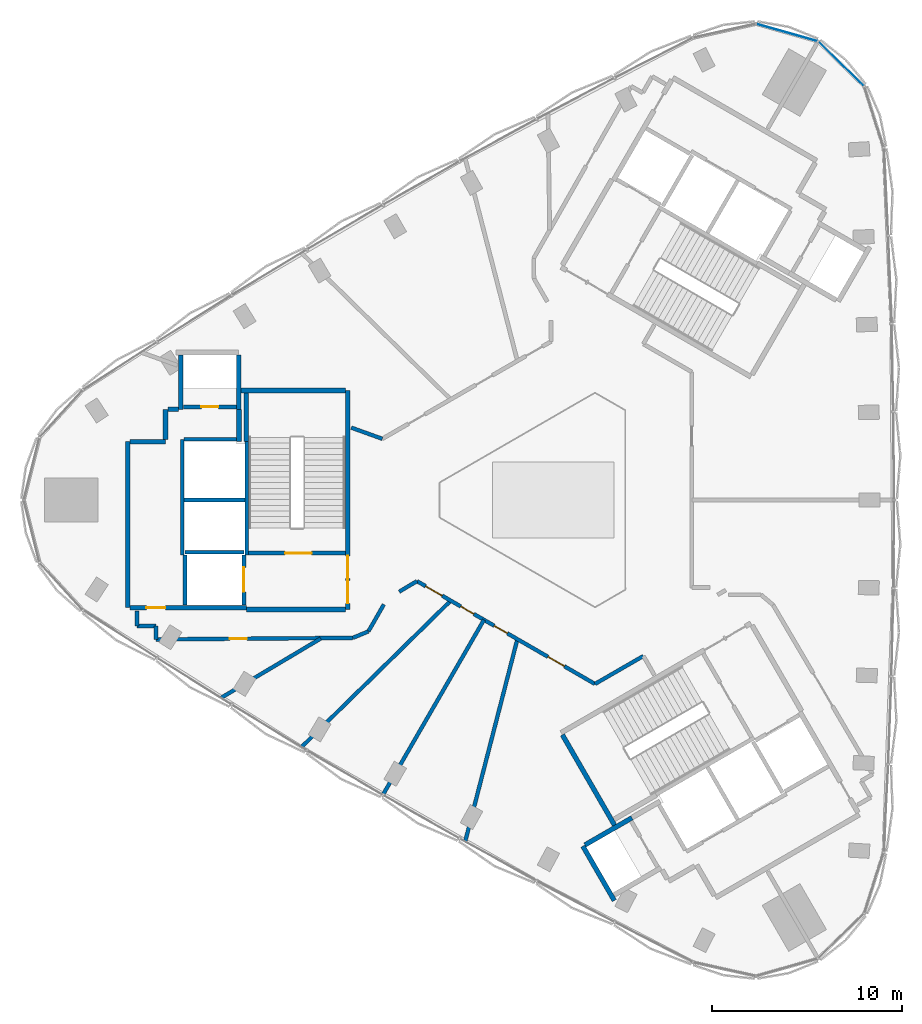
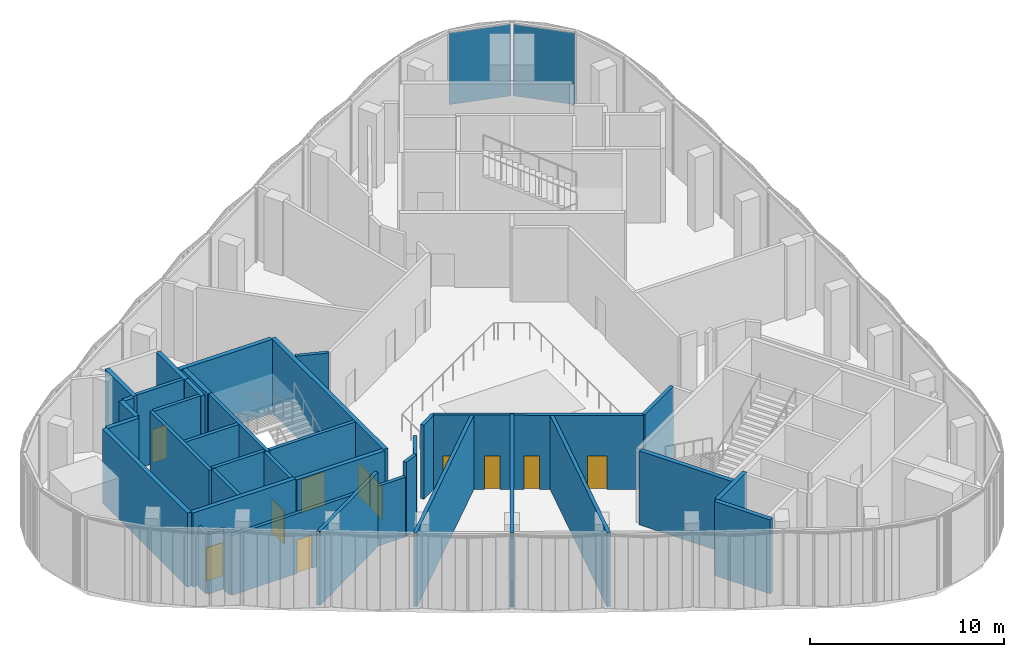
# One storey, part 7 of 15: 38 walls, 11 doors, 2 plates, 11 openings, 1 element without a shape of its own.
"""IFC4 building model written with IfcOpenShell, lengths in metres."""

from ifc_helpers import new_model, si_unit, direction, frame, frame_2d, origin, origin_2d, place, context, subcontext, project, spatial, rectangle, extrude, material, layer, layer_set, type_object, element, fill, aggregate, save


model = new_model("IFC4")

# Units and contexts
model_context = context("Model", 3, precision=1e-05, world=origin(), true_north=direction((0.0, 1.0)))
body_context = subcontext(model_context, "Body", "Model", "MODEL_VIEW")
ifc_project = project(units=[si_unit("LENGTHUNIT", "METRE"), si_unit("AREAUNIT", "SQUARE_METRE"), si_unit("VOLUMEUNIT", "CUBIC_METRE"), si_unit("PLANEANGLEUNIT", "RADIAN"), si_unit("MASSUNIT", "GRAM", prefix="KILO")], contexts=[model_context])

# Site, building, storey
site_placement = place(None, origin())
site = spatial("IfcSite", under=ifc_project, at=site_placement, CompositionType="ELEMENT")
building_placement = place(site_placement, origin())
building = spatial("IfcBuilding", under=site, at=building_placement, Name="Tamra Quay Hotel Tower", CompositionType="ELEMENT")
storey_placement = place(building_placement, frame((0.0, 0.0, 216.39990234375)))
storey = spatial("IfcBuildingStorey", under=building, at=storey_placement, Name="L54", CompositionType="ELEMENT", Elevation=216.39990234375)

# Curtain wall, plates
ifc_material_1 = material(Name="Aluminium 6063 anodised dark grey", Category="aluminium")
curtain_wall_type = type_object("IfcCurtainWallType", Name="CW1 CURTAIN WALL", PredefinedType="NOTDEFINED", material=ifc_material_1)
curtain_wall_placement = place(storey_placement, origin())
curtain_wall = element("IfcCurtainWall", 1, at=curtain_wall_placement, inside=storey, type_object=curtain_wall_type, Name="CW1 east face L54", PredefinedType="NOTDEFINED")
ifc_material_2 = material(Name="Glass clear laminated low-iron", Category="glass")
ifc_layer_1 = layer(ifc_material_2, 0.028076171875)
ifc_layer_set_1 = layer_set([ifc_layer_1], Name="GLASS PANEL CW1 Z5")
plate_type = type_object("IfcPlateType", Name="GLASS PANEL CW1 Z5", PredefinedType="CURTAIN_PANEL", material=ifc_layer_set_1)
plate_1_placement = place(storey_placement, frame((15.18017578125, 22.9951171875, 0.0), z_axis=(0.0, 0.0, 1.0), x_axis=(-0.717364100925, 0.696698461821, 0.0)))
plate_1 = element("IfcPlate", 2, at=plate_1_placement, type_object=plate_type, Name="CW1 glass L54.E.10", PredefinedType="CURTAIN_PANEL", context=body_context, shape_type="SweptSolid", body=[
    extrude(rectangle(XDim=3.301025390625, YDim=0.028076171875, at=origin_2d()), origin(), (0.0, 0.0, 1.0), 4.510009765625),
])
plate_2_placement = place(storey_placement, frame((12.32421875, 24.643798828125, 0.0), z_axis=(0.0, 0.0, 1.0), x_axis=(-0.962040617177, 0.272906304254, 0.0)))
plate_2 = element("IfcPlate", 3, at=plate_2_placement, type_object=plate_type, Name="CW1 glass L54.E.11", PredefinedType="CURTAIN_PANEL", context=body_context, shape_type="SweptSolid", body=[
    extrude(rectangle(XDim=3.301025390625, YDim=0.028076171875, at=origin_2d()), origin(), (0.0, 0.0, 1.0), 4.510009765625),
])
aggregate(curtain_wall, [plate_1, plate_2])

# Walls
ifc_material_3 = material(Name="Concrete M70", Category="concrete")
ifc_layer_2 = layer(ifc_material_3, 0.199951171875)
ifc_layer_set_2 = layer_set([ifc_layer_2], Name="Concrete M70 core wall 200")
wall_type_1 = type_object("IfcWallType", Name="Concrete M70 core wall 200", PredefinedType="SHEAR", material=ifc_layer_set_2)
wall_1_placement = place(storey_placement, frame((-16.162109375, 3.073974609375, 0.0), z_axis=(0.0, 0.0, 1.0), x_axis=(0.0, -1.0, 0.0)))
element("IfcWall", 4, at=wall_1_placement, inside=storey, type_object=wall_type_1, Name="CW2", PredefinedType="SHEAR", context=body_context, shape_type="SweptSolid", body=[
    extrude(rectangle(XDim=5.97412109375, YDim=0.199951171875, at=frame_2d((2.987060546875, 0.0))), origin(), (0.0, 0.0, 1.0), 4.650146484375),
])
wall_2_placement = place(storey_placement, frame((-19.5625, -2.900146484375, 0.0), z_axis=(0.0, 0.0, 1.0), x_axis=(0.0, 1.0, 0.0)))
element("IfcWall", 5, at=wall_2_placement, inside=storey, type_object=wall_type_1, Name="CW2", PredefinedType="SHEAR", context=body_context, shape_type="SweptSolid", body=[
    extrude(rectangle(XDim=6.100341796875, YDim=0.199951171875, at=frame_2d((3.05029296875, 0.0))), origin(), (0.0, 0.0, 1.0), 4.650146484375),
])

# Wall, opening, door
wall_3_placement = place(storey_placement, frame((-10.96337890625, -2.800048828125, 0.0), z_axis=(0.0, 0.0, 1.0), x_axis=(-1.0, 0.0, 0.0)))
wall_3 = element("IfcWall", 6, at=wall_3_placement, inside=storey, type_object=wall_type_1, Name="CW2", PredefinedType="SHEAR", context=body_context, shape_type="SweptSolid", body=[
    extrude(rectangle(XDim=5.097900390625, YDim=0.199951171875, at=frame_2d((2.548828125, 0.0))), origin(), (0.0, 0.0, 1.0), 4.650146484375),
])
opening_1_placement = place(wall_3_placement, frame((1.77392578125, 0.0, 0.0)))
opening_1 = element("IfcOpeningElement", 7, at=opening_1_placement, cuts=wall_3, Name="Opening FD2", PredefinedType="OPENING", context=body_context, shape_type="SweptSolid", body=[
    extrude(rectangle(XDim=1.39990234375, YDim=2.10009765625, at=frame_2d((0.699951171875, 1.050048828125))), frame((0.0, 0.10986328125, 0.0), z_axis=(0.0, -1.0, 0.0), x_axis=(1.0, 0.0, 0.0)), (0.0, 0.0, 1.0), 0.219970703125),
])
ifc_material_4 = material(Name="Core door FD2 1400x2100 RH")
door_type_1 = type_object("IfcDoorType", Name="Core door FD2 1400x2100 RH", OperationType="NOTDEFINED", PredefinedType="DOOR", material=ifc_material_4)
door_1_placement = place(opening_1_placement, origin())
door_1 = element("IfcDoor", 8, at=door_1_placement, inside=storey, type_object=door_type_1, Name="FD2", OperationType="SINGLE_SWING_RIGHT", OverallHeight=2.10009765625, OverallWidth=1.39990234375, PredefinedType="DOOR", context=body_context, shape_type="SweptSolid", body=[
    extrude(rectangle(XDim=1.39990234375, YDim=2.10009765625, at=frame_2d((0.699951171875, 1.050048828125))), frame((0.0, 0.02490234375, 0.0), z_axis=(0.0, -1.0, 0.0), x_axis=(1.0, 0.0, 0.0)), (0.0, 0.0, 1.0), 0.050048828125),
])
fill(opening_1, door_1)

# Wall
wall_4_placement = place(storey_placement, frame((-16.26318359375, 0.0, 0.0), z_axis=(0.0, 0.0, 1.0), x_axis=(-1.0, 0.0, 0.0)))
element("IfcWall", 9, at=wall_4_placement, inside=storey, type_object=wall_type_1, Name="CW2", PredefinedType="SHEAR", context=body_context, shape_type="SweptSolid", body=[
    extrude(rectangle(XDim=3.1982421875, YDim=0.199951171875, at=frame_2d((1.59912109375, 0.0))), origin(), (0.0, 0.0, 1.0), 4.650146484375),
])

# Wall, opening, door
wall_5_placement = place(storey_placement, frame((-19.51123046875, 4.91015625, 0.0), z_axis=(0.0, 0.0, 1.0), x_axis=(1.0, 0.0, 0.0)))
wall_5 = element("IfcWall", 10, at=wall_5_placement, inside=storey, type_object=wall_type_1, Name="CW2", PredefinedType="SHEAR", context=body_context, shape_type="SweptSolid", body=[
    extrude(rectangle(XDim=2.7978515625, YDim=0.199951171875, at=frame_2d((1.39892578125, 0.0))), origin(), (0.0, 0.0, 1.0), 4.650146484375),
])
opening_2_placement = place(wall_5_placement, frame((0.948974609375, 0.0, 0.0)))
opening_2 = element("IfcOpeningElement", 11, at=opening_2_placement, cuts=wall_5, Name="Opening D1", PredefinedType="OPENING", context=body_context, shape_type="SweptSolid", body=[
    extrude(rectangle(XDim=0.89990234375, YDim=2.10009765625, at=frame_2d((0.449951171875, 1.050048828125))), frame((0.0, 0.10986328125, 0.0), z_axis=(0.0, -1.0, 0.0), x_axis=(1.0, 0.0, 0.0)), (0.0, 0.0, 1.0), 0.219970703125),
])
ifc_material_5 = material(Name="Core door D1 900x2100 LH")
door_type_2 = type_object("IfcDoorType", Name="Core door D1 900x2100 LH", OperationType="NOTDEFINED", PredefinedType="DOOR", material=ifc_material_5)
door_2_placement = place(opening_2_placement, origin())
door_2 = element("IfcDoor", 12, at=door_2_placement, inside=storey, type_object=door_type_2, Name="D1", OperationType="SINGLE_SWING_LEFT", OverallHeight=2.10009765625, OverallWidth=0.89990234375, PredefinedType="DOOR", context=body_context, shape_type="SweptSolid", body=[
    extrude(rectangle(XDim=0.89990234375, YDim=2.10009765625, at=frame_2d((0.449951171875, 1.050048828125))), frame((0.0, 0.02490234375, 0.0), z_axis=(0.0, -1.0, 0.0), x_axis=(1.0, 0.0, 0.0)), (0.0, 0.0, 1.0), 0.050048828125),
])
fill(opening_2, door_2)

# Walls
wall_6_placement = place(storey_placement, frame((-19.46240234375, 3.2001953125, 0.0), z_axis=(0.0, 0.0, 1.0), x_axis=(1.0, 0.0, 0.0)))
element("IfcWall", 13, at=wall_6_placement, inside=storey, type_object=wall_type_1, Name="CW2", PredefinedType="SHEAR", context=body_context, shape_type="SweptSolid", body=[
    extrude(rectangle(XDim=2.759033203125, YDim=0.199951171875, at=frame_2d((1.37939453125, 0.0))), origin(), (0.0, 0.0, 1.0), 4.650146484375),
])
wall_7_placement = place(storey_placement, frame((-19.412353515625, -2.75, 0.0), z_axis=(0.0, 0.0, 1.0), x_axis=(1.0, 0.0, 0.0)))
element("IfcWall", 14, at=wall_7_placement, inside=storey, type_object=wall_type_1, Name="CW2", PredefinedType="SHEAR", context=body_context, shape_type="SweptSolid", body=[
    extrude(rectangle(XDim=3.10009765625, YDim=0.199951171875, at=frame_2d((1.550048828125, 0.0))), origin(), (0.0, 0.0, 1.0), 4.650146484375),
])

# Wall, opening, door
wall_8_placement = place(storey_placement, frame((-16.312255859375, -2.898193359375, 0.0), z_axis=(0.0, 0.0, 1.0), x_axis=(0.0, -1.0, 0.0)))
wall_8 = element("IfcWall", 15, at=wall_8_placement, inside=storey, type_object=wall_type_1, Name="CW2", PredefinedType="SHEAR", context=body_context, shape_type="SweptSolid", body=[
    extrude(rectangle(XDim=2.65087890625, YDim=0.199951171875, at=frame_2d((1.325439453125, 0.0))), origin(), (0.0, 0.0, 1.0), 4.650146484375),
])
opening_3_placement = place(wall_8_placement, frame((0.65185546875, 0.0, 0.0)))
opening_3 = element("IfcOpeningElement", 16, at=opening_3_placement, cuts=wall_8, Name="Opening LD", PredefinedType="OPENING", context=body_context, shape_type="SweptSolid", body=[
    extrude(rectangle(XDim=1.300048828125, YDim=2.10009765625, at=frame_2d((0.64990234375, 1.050048828125))), frame((0.0, 0.10986328125, 0.0), z_axis=(0.0, -1.0, 0.0), x_axis=(1.0, 0.0, 0.0)), (0.0, 0.0, 1.0), 0.219970703125),
])
ifc_material_6 = material(Name="Landing door LD 1300 sliding to right")
door_type_3 = type_object("IfcDoorType", Name="Landing door LD 1300 sliding to right", OperationType="NOTDEFINED", PredefinedType="DOOR", material=ifc_material_6)
door_3_placement = place(opening_3_placement, origin())
door_3 = element("IfcDoor", 17, at=door_3_placement, inside=storey, type_object=door_type_3, Name="LD", OperationType="SLIDING_TO_RIGHT", OverallHeight=2.10009765625, OverallWidth=1.300048828125, PredefinedType="DOOR", context=body_context, shape_type="SweptSolid", body=[
    extrude(rectangle(XDim=1.300048828125, YDim=2.10009765625, at=frame_2d((0.64990234375, 1.050048828125))), frame((0.0, 0.02490234375, 0.0), z_axis=(0.0, -1.0, 0.0), x_axis=(1.0, 0.0, 0.0)), (0.0, 0.0, 1.0), 0.050048828125),
])
fill(opening_3, door_3)

# Wall
wall_9_placement = place(storey_placement, frame((-19.412353515625, -5.549072265625, 0.0), z_axis=(0.0, 0.0, 1.0), x_axis=(0.0, 1.0, 0.0)))
element("IfcWall", 18, at=wall_9_placement, inside=storey, type_object=wall_type_1, Name="CW2", PredefinedType="SHEAR", context=body_context, shape_type="SweptSolid", body=[
    extrude(rectangle(XDim=2.65087890625, YDim=0.199951171875, at=frame_2d((1.325439453125, 0.0))), origin(), (0.0, 0.0, 1.0), 4.650146484375),
])

# Wall, openings, doors
ifc_layer_3 = layer(ifc_material_3, 0.25)
ifc_layer_set_3 = layer_set([ifc_layer_3], Name="Concrete M70 core wall 250")
wall_type_2 = type_object("IfcWallType", Name="Concrete M70 core wall 250", PredefinedType="SHEAR", material=ifc_layer_set_3)
wall_10_placement = place(storey_placement, frame((-10.83740234375, 5.77490234375, 0.0), z_axis=(0.0, 0.0, 1.0), x_axis=(0.0, -1.0, 0.0)))
wall_10 = element("IfcWall", 19, at=wall_10_placement, inside=storey, type_object=wall_type_2, Name="CW1", PredefinedType="SHEAR", context=body_context, shape_type="SweptSolid", body=[
    extrude(rectangle(XDim=11.5498046875, YDim=0.25, at=frame_2d((5.77490234375, 0.0))), origin(), (0.0, 0.0, 1.0), 4.650146484375),
])
opening_4_placement = place(wall_10_placement, frame((10.02490234375, 0.0, 0.0)))
opening_4 = element("IfcOpeningElement", 20, at=opening_4_placement, cuts=wall_10, Name="Opening FD1", PredefinedType="OPENING", context=body_context, shape_type="SweptSolid", body=[
    extrude(rectangle(XDim=1.199951171875, YDim=2.10009765625, at=frame_2d((0.60009765625, 1.050048828125))), frame((0.0, 0.135009765625, 0.0), z_axis=(0.0, -1.0, 0.0), x_axis=(1.0, 0.0, 0.0)), (0.0, 0.0, 1.0), 0.27001953125),
])
opening_5_placement = place(wall_10_placement, frame((8.72509765625, 0.0, 0.0)))
opening_5 = element("IfcOpeningElement", 21, at=opening_5_placement, cuts=wall_10, Name="Opening FD1", PredefinedType="OPENING", context=body_context, shape_type="SweptSolid", body=[
    extrude(rectangle(XDim=1.199951171875, YDim=2.10009765625, at=frame_2d((0.60009765625, 1.050048828125))), frame((0.0, 0.135009765625, 0.0), z_axis=(0.0, -1.0, 0.0), x_axis=(1.0, 0.0, 0.0)), (0.0, 0.0, 1.0), 0.27001953125),
])
ifc_material_7 = material(Name="Core door FD1 1200x2100 LH")
door_type_4 = type_object("IfcDoorType", Name="Core door FD1 1200x2100 LH", OperationType="NOTDEFINED", PredefinedType="DOOR", material=ifc_material_7)
door_4_placement = place(opening_4_placement, origin())
door_4 = element("IfcDoor", 22, at=door_4_placement, inside=storey, type_object=door_type_4, Name="FD1", OperationType="SINGLE_SWING_LEFT", OverallHeight=2.10009765625, OverallWidth=1.199951171875, PredefinedType="DOOR", context=body_context, shape_type="SweptSolid", body=[
    extrude(rectangle(XDim=1.199951171875, YDim=2.10009765625, at=frame_2d((0.60009765625, 1.050048828125))), frame((0.0, 0.02490234375, 0.0), z_axis=(0.0, -1.0, 0.0), x_axis=(1.0, 0.0, 0.0)), (0.0, 0.0, 1.0), 0.050048828125),
])
fill(opening_4, door_4)
ifc_material_8 = material(Name="Core door FD1 1200x2100 RH")
door_type_5 = type_object("IfcDoorType", Name="Core door FD1 1200x2100 RH", OperationType="NOTDEFINED", PredefinedType="DOOR", material=ifc_material_8)
door_5_placement = place(opening_5_placement, origin())
door_5 = element("IfcDoor", 23, at=door_5_placement, inside=storey, type_object=door_type_5, Name="FD1", OperationType="SINGLE_SWING_RIGHT", OverallHeight=2.10009765625, OverallWidth=1.199951171875, PredefinedType="DOOR", context=body_context, shape_type="SweptSolid", body=[
    extrude(rectangle(XDim=1.199951171875, YDim=2.10009765625, at=frame_2d((0.60009765625, 1.050048828125))), frame((0.0, 0.02490234375, 0.0), z_axis=(0.0, -1.0, 0.0), x_axis=(1.0, 0.0, 0.0)), (0.0, 0.0, 1.0), 0.050048828125),
])
fill(opening_5, door_5)

# Wall
wall_11_placement = place(storey_placement, frame((-22.437255859375, -5.675048828125, 0.0), z_axis=(0.0, 0.0, 1.0), x_axis=(0.0, 1.0, 0.0)))
element("IfcWall", 24, at=wall_11_placement, inside=storey, type_object=wall_type_2, Name="CW1", PredefinedType="SHEAR", context=body_context, shape_type="SweptSolid", body=[
    extrude(rectangle(XDim=8.75, YDim=0.25, at=frame_2d((4.375, 0.0))), origin(), (0.0, 0.0, 1.0), 4.650146484375),
])

# Wall, opening, door
wall_12_placement = place(storey_placement, frame((-16.187255859375, -5.675048828125, 0.0), z_axis=(0.0, 0.0, 1.0), x_axis=(-1.0, 0.0, 0.0)))
wall_12 = element("IfcWall", 25, at=wall_12_placement, inside=storey, type_object=wall_type_2, Name="CW1", PredefinedType="SHEAR", context=body_context, shape_type="SweptSolid", body=[
    extrude(rectangle(XDim=6.12451171875, YDim=0.25, at=frame_2d((3.062255859375, 0.0))), origin(), (0.0, 0.0, 1.0), 4.650146484375),
])
opening_6_placement = place(wall_12_placement, frame((4.2626953125, 0.0, 0.0)))
opening_6 = element("IfcOpeningElement", 26, at=opening_6_placement, cuts=wall_12, Name="Opening FD3", PredefinedType="OPENING", context=body_context, shape_type="SweptSolid", body=[
    extrude(rectangle(XDim=1.0, YDim=2.10009765625, at=frame_2d((0.5, 1.050048828125))), frame((0.0, 0.135009765625, 0.0), z_axis=(0.0, -1.0, 0.0), x_axis=(1.0, 0.0, 0.0)), (0.0, 0.0, 1.0), 0.27001953125),
])
ifc_material_9 = material(Name="Core door FD3 1000x2100 LH")
door_type_6 = type_object("IfcDoorType", Name="Core door FD3 1000x2100 LH", OperationType="NOTDEFINED", PredefinedType="DOOR", material=ifc_material_9)
door_6_placement = place(opening_6_placement, origin())
door_6 = element("IfcDoor", 27, at=door_6_placement, inside=storey, type_object=door_type_6, Name="FD3", OperationType="SINGLE_SWING_LEFT", OverallHeight=2.10009765625, OverallWidth=1.0, PredefinedType="DOOR", context=body_context, shape_type="SweptSolid", body=[
    extrude(rectangle(XDim=1.0, YDim=2.10009765625, at=frame_2d((0.5, 1.050048828125))), frame((0.0, 0.02490234375, 0.0), z_axis=(0.0, -1.0, 0.0), x_axis=(1.0, 0.0, 0.0)), (0.0, 0.0, 1.0), 0.050048828125),
])
fill(opening_6, door_6)

# Walls
wall_13_placement = place(storey_placement, frame((-10.962646484375, -5.77490234375, 0.0), z_axis=(0.0, 0.0, 1.0), x_axis=(-1.0, 0.0, 0.0)))
element("IfcWall", 28, at=wall_13_placement, inside=storey, type_object=wall_type_2, Name="CW1", PredefinedType="SHEAR", context=body_context, shape_type="SweptSolid", body=[
    extrude(rectangle(XDim=5.224609375, YDim=0.25, at=frame_2d((2.6123046875, 0.0))), origin(), (0.0, 0.0, 1.0), 4.650146484375),
])
wall_14_placement = place(storey_placement, frame((-16.47216796875, 5.77490234375, 0.0), z_axis=(0.0, 0.0, 1.0), x_axis=(1.0, 0.0, 0.0)))
element("IfcWall", 29, at=wall_14_placement, inside=storey, type_object=wall_type_2, Name="CW1", PredefinedType="SHEAR", context=body_context, shape_type="SweptSolid", body=[
    extrude(rectangle(XDim=5.509521484375, YDim=0.25, at=frame_2d((2.7548828125, 0.0))), origin(), (0.0, 0.0, 1.0), 4.650146484375),
])
for number, where, z_axis, x_axis, name in (
    (30, (-16.58740234375, 7.649658203125, 0.0), (0.0, 0.0, 1.0), (0.0, -1.0, 0.0), "CW1"),
    (31, (-19.63720703125, 4.784912109375, 0.0), (0.0, 0.0, 1.0), (0.0, 1.0, 0.0), "CW1"),
):
    element("IfcWall", number, at=place(storey_placement, frame(where, z_axis=z_axis, x_axis=x_axis)), inside=storey, type_object=wall_type_2, Name=name, PredefinedType="SHEAR", context=body_context, shape_type="SweptSolid", body=[
        extrude(rectangle(XDim=2.86474609375, YDim=0.25, at=frame_2d((1.432373046875, 0.0))), origin(), (0.0, 0.0, 1.0), 4.650146484375),
    ])
wall_15_placement = place(storey_placement, frame((-16.187255859375, 3.074951171875, 0.0), z_axis=(0.0, 0.0, 1.0), x_axis=(0.0, 1.0, 0.0)))
element("IfcWall", 32, at=wall_15_placement, inside=storey, type_object=wall_type_2, Name="CW1", PredefinedType="SHEAR", context=body_context, shape_type="SweptSolid", body=[
    extrude(rectangle(XDim=2.57470703125, YDim=0.25, at=frame_2d((1.287353515625, 0.0))), origin(), (0.0, 0.0, 1.0), 4.650146484375),
])
wall_16_placement = place(storey_placement, frame((-22.311767578125, 3.074951171875, 0.0), z_axis=(0.0, 0.0, 1.0), x_axis=(1.0, 0.0, 0.0)))
element("IfcWall", 33, at=wall_16_placement, inside=storey, type_object=wall_type_2, Name="CW1", PredefinedType="SHEAR", context=body_context, shape_type="SweptSolid", body=[
    extrude(rectangle(XDim=1.864501953125, YDim=0.25, at=frame_2d((0.93212890625, 0.0))), origin(), (0.0, 0.0, 1.0), 4.650146484375),
])
wall_17_placement = place(storey_placement, frame((-16.577392578125, 4.784912109375, 0.0), z_axis=(0.0, 0.0, 1.0), x_axis=(0.0, -1.0, 0.0)))
element("IfcWall", 34, at=wall_17_placement, inside=storey, type_object=wall_type_2, Name="CW1", PredefinedType="SHEAR", context=body_context, shape_type="SweptSolid", body=[
    extrude(rectangle(XDim=1.7099609375, YDim=0.25, at=frame_2d((0.85498046875, 0.0))), origin(), (0.0, 0.0, 1.0), 4.650146484375),
])
wall_18_placement = place(storey_placement, frame((-20.447265625, 3.200439453125, 0.0), z_axis=(0.0, 0.0, 1.0), x_axis=(0.0, 1.0, 0.0)))
element("IfcWall", 35, at=wall_18_placement, inside=storey, type_object=wall_type_2, Name="CW1", PredefinedType="SHEAR", context=body_context, shape_type="SweptSolid", body=[
    extrude(rectangle(XDim=1.58447265625, YDim=0.25, at=frame_2d((0.792236328125, 0.0))), origin(), (0.0, 0.0, 1.0), 4.650146484375),
])
wall_19_placement = place(storey_placement, frame((-20.32177734375, 4.784912109375, 0.0), z_axis=(0.0, 0.0, 1.0), x_axis=(1.0, 0.0, 0.0)))
element("IfcWall", 36, at=wall_19_placement, inside=storey, type_object=wall_type_2, Name="CW1", PredefinedType="SHEAR", context=body_context, shape_type="SweptSolid", body=[
    extrude(rectangle(XDim=0.55908203125, YDim=0.25, at=frame_2d((0.279541015625, 0.0))), origin(), (0.0, 0.0, 1.0), 4.650146484375),
])
wall_20_placement = place(storey_placement, frame((3.23486328125, -17.15283203125, 0.0), z_axis=(0.0, 0.0, 1.0), x_axis=(-0.500008851346, 0.866020293397, 0.0)))
element("IfcWall", 37, at=wall_20_placement, inside=storey, type_object=wall_type_2, Name="CW1", PredefinedType="SHEAR", context=body_context, shape_type="SweptSolid", body=[
    extrude(rectangle(XDim=5.509765625, YDim=0.25, at=frame_2d((2.7548828125, 0.0))), origin(), (0.0, 0.0, 1.0), 4.650146484375),
])
wall_21_placement = place(storey_placement, frame((3.216796875, -21.12158203125, 0.0), z_axis=(0.0, 0.0, 1.0), x_axis=(-0.499998874531, 0.866026053573, 0.0)))
element("IfcWall", 38, at=wall_21_placement, inside=storey, type_object=wall_type_2, Name="CW1", PredefinedType="SHEAR", context=body_context, shape_type="SweptSolid", body=[
    extrude(rectangle(XDim=3.31298828125, YDim=0.25, at=frame_2d((1.656494140625, 0.0))), origin(), (0.0, 0.0, 1.0), 4.650146484375),
])
wall_22_placement = place(storey_placement, frame((1.6689453125, -18.189697265625, 0.0), z_axis=(0.0, 0.0, 1.0), x_axis=(0.866042235819, 0.499970844928, 0.0)))
element("IfcWall", 39, at=wall_22_placement, inside=storey, type_object=wall_type_2, Name="CW1", PredefinedType="SHEAR", context=body_context, shape_type="SweptSolid", body=[
    extrude(rectangle(XDim=2.864501953125, YDim=0.25, at=frame_2d((1.43212890625, 0.0))), origin(), (0.0, 0.0, 1.0), 4.650146484375),
])
ifc_material_10 = material(Name="Partition corridor wall")
ifc_layer_4 = layer(ifc_material_10, 0.199951171875)
ifc_layer_set_4 = layer_set([ifc_layer_4], Name="Partition corridor wall")
wall_type_3 = type_object("IfcWallType", Name="Partition corridor wall", PredefinedType="PARTITIONING", material=ifc_layer_set_4)
wall_23_placement = place(storey_placement, frame((-21.949951171875, -6.64990234375, 0.0), z_axis=(0.0, 0.0, 1.0), x_axis=(0.0, 1.0, 0.0)))
element("IfcWall", 40, at=wall_23_placement, inside=storey, type_object=wall_type_3, Name="W-C", PredefinedType="PARTITIONING", context=body_context, shape_type="SweptSolid", body=[
    extrude(rectangle(XDim=0.789794921875, YDim=0.199951171875, at=frame_2d((0.39501953125, 0.0))), origin(), (0.0, 0.0, 1.0), 3.75),
])
wall_24_placement = place(storey_placement, frame((-21.949951171875, -6.64990234375, 0.0), z_axis=(0.0, 0.0, 1.0), x_axis=(1.0, 0.0, 0.0)))
element("IfcWall", 41, at=wall_24_placement, inside=storey, type_object=wall_type_3, Name="W-C", PredefinedType="PARTITIONING", context=body_context, shape_type="SweptSolid", body=[
    extrude(rectangle(XDim=0.9970703125, YDim=0.199951171875, at=frame_2d((0.49853515625, 0.0))), origin(), (0.0, 0.0, 1.0), 3.75),
])
wall_25_placement = place(storey_placement, frame((-20.949951171875, -6.653076171875, 0.0), z_axis=(0.0, 0.0, 1.0), x_axis=(0.007014909823, -0.999975395217, 0.0)))
element("IfcWall", 42, at=wall_25_placement, inside=storey, type_object=wall_type_3, Name="W-C", PredefinedType="PARTITIONING", context=body_context, shape_type="SweptSolid", body=[
    extrude(rectangle(XDim=0.696044921875, YDim=0.199951171875, at=frame_2d((0.34814453125, 0.0))), origin(), (0.0, 0.0, 1.0), 3.75),
])

# Wall, opening, door
wall_26_placement = place(storey_placement, frame((-20.944091796875, -7.35009765625, 0.0), z_axis=(0.0, 0.0, 1.0), x_axis=(0.999969293938, 0.007836528638, 0.0)))
wall_26 = element("IfcWall", 43, at=wall_26_placement, inside=storey, type_object=wall_type_3, Name="W-C", PredefinedType="PARTITIONING", context=body_context, shape_type="SweptSolid", body=[
    extrude(rectangle(XDim=10.374267578125, YDim=0.199951171875, at=frame_2d((5.18701171875, 0.0))), origin(), (0.0, 0.0, 1.0), 3.75),
])
opening_7_placement = place(wall_26_placement, frame((3.8935546875, 0.0, 0.0)))
opening_7 = element("IfcOpeningElement", 44, at=opening_7_placement, cuts=wall_26, Name="Opening L54-D006", PredefinedType="OPENING", context=body_context, shape_type="SweptSolid", body=[
    extrude(rectangle(XDim=0.89990234375, YDim=2.10009765625, at=frame_2d((0.449951171875, 1.050048828125))), frame((0.0, 0.10986328125, 0.0), z_axis=(0.0, -1.0, 0.0), x_axis=(1.0, 0.0, 0.0)), (0.0, 0.0, 1.0), 0.219970703125),
])
ifc_material_11 = material(Name="Door service room 900x2100")
door_type_7 = type_object("IfcDoorType", Name="Door service room 900x2100", OperationType="NOTDEFINED", PredefinedType="DOOR", material=ifc_material_11)
door_7_placement = place(opening_7_placement, origin())
door_7 = element("IfcDoor", 45, at=door_7_placement, inside=storey, type_object=door_type_7, Name="L54-D006", OperationType="SINGLE_SWING_LEFT", OverallHeight=2.10009765625, OverallWidth=0.89990234375, PredefinedType="DOOR", context=body_context, shape_type="SweptSolid", body=[
    extrude(rectangle(XDim=0.89990234375, YDim=2.10009765625, at=frame_2d((0.449951171875, 1.050048828125))), frame((0.0, 0.02490234375, 0.0), z_axis=(0.0, -1.0, 0.0), x_axis=(1.0, 0.0, 0.0)), (0.0, 0.0, 1.0), 0.050048828125),
])
fill(opening_7, door_7)

# Walls
wall_27_placement = place(storey_placement, frame((-10.65234375, 3.815673828125, 0.0), z_axis=(0.0, 0.0, 1.0), x_axis=(0.940899946508, -0.33868464781, 0.0)))
element("IfcWall", 46, at=wall_27_placement, inside=storey, type_object=wall_type_3, Name="W-C", PredefinedType="PARTITIONING", context=body_context, shape_type="SweptSolid", body=[
    extrude(rectangle(XDim=1.738037109375, YDim=0.199951171875, at=frame_2d((0.869140625, 0.0))), origin(), (0.0, 0.0, 1.0), 4.650146484375),
])
wall_28_placement = place(storey_placement, frame((-10.56689453125, -7.26904296875, 0.0), z_axis=(0.0, 0.0, 1.0), x_axis=(0.922929257273, 0.384969591097, 0.0)))
element("IfcWall", 47, at=wall_28_placement, inside=storey, type_object=wall_type_3, Name="W-C", PredefinedType="PARTITIONING", context=body_context, shape_type="SweptSolid", body=[
    extrude(rectangle(XDim=0.880859375, YDim=0.199951171875, at=frame_2d((0.4404296875, 0.0))), origin(), (0.0, 0.0, 1.0), 4.650146484375),
])
wall_29_placement = place(storey_placement, frame((-9.748046875, -6.927001953125, 0.0), z_axis=(0.0, 0.0, 1.0), x_axis=(0.497584783928, 0.867415346188, 0.0)))
element("IfcWall", 48, at=wall_29_placement, inside=storey, type_object=wall_type_3, Name="W-C", PredefinedType="PARTITIONING", context=body_context, shape_type="SweptSolid", body=[
    extrude(rectangle(XDim=1.6357421875, YDim=0.199951171875, at=frame_2d((0.81787109375, 0.0))), origin(), (0.0, 0.0, 1.0), 4.650146484375),
])
wall_30_placement = place(storey_placement, frame((-8.1259765625, -4.8369140625, 0.0), z_axis=(0.0, 0.0, 1.0), x_axis=(0.859170790223, 0.511688922323, 0.0)))
element("IfcWall", 49, at=wall_30_placement, inside=storey, type_object=wall_type_3, Name="W-C", PredefinedType="PARTITIONING", context=body_context, shape_type="SweptSolid", body=[
    extrude(rectangle(XDim=1.08837890625, YDim=0.199951171875, at=frame_2d((0.544189453125, 0.0))), origin(), (0.0, 0.0, 1.0), 4.650146484375),
])

# Wall, openings, doors
wall_31_placement = place(storey_placement, frame((-7.18798828125, -4.279052734375, 0.0), z_axis=(0.0, 0.0, 1.0), x_axis=(0.865917749919, -0.500186415625, 0.0)))
wall_31 = element("IfcWall", 50, at=wall_31_placement, inside=storey, type_object=wall_type_3, Name="W-C", PredefinedType="PARTITIONING", context=body_context, shape_type="SweptSolid", body=[
    extrude(rectangle(XDim=10.840087890625, YDim=0.199951171875, at=frame_2d((5.419921875, 0.0))), origin(), (0.0, 0.0, 1.0), 4.650146484375),
])
opening_8_placement = place(wall_31_placement, frame((0.53369140625, 0.0, 0.0)))
opening_8 = element("IfcOpeningElement", 51, at=opening_8_placement, cuts=wall_31, Name="Opening L54-D007", PredefinedType="OPENING", context=body_context, shape_type="SweptSolid", body=[
    extrude(rectangle(XDim=1.0, YDim=2.10009765625, at=frame_2d((0.5, 1.050048828125))), frame((0.0, 0.10986328125, 0.0), z_axis=(0.0, -1.0, 0.0), x_axis=(1.0, 0.0, 0.0)), (0.0, 0.0, 1.0), 0.219970703125),
])
opening_9_placement = place(wall_31_placement, frame((2.671630859375, 0.0, 0.0)))
opening_9 = element("IfcOpeningElement", 52, at=opening_9_placement, cuts=wall_31, Name="Opening L54-D008", PredefinedType="OPENING", context=body_context, shape_type="SweptSolid", body=[
    extrude(rectangle(XDim=0.800048828125, YDim=2.10009765625, at=frame_2d((0.39990234375, 1.050048828125))), frame((0.0, 0.10986328125, 0.0), z_axis=(0.0, -1.0, 0.0), x_axis=(1.0, 0.0, 0.0)), (0.0, 0.0, 1.0), 0.219970703125),
])
opening_10_placement = place(wall_31_placement, frame((4.701904296875, 0.0, 0.0)))
opening_10 = element("IfcOpeningElement", 53, at=opening_10_placement, cuts=wall_31, Name="Opening L54-D009", PredefinedType="OPENING", context=body_context, shape_type="SweptSolid", body=[
    extrude(rectangle(XDim=0.800048828125, YDim=2.10009765625, at=frame_2d((0.39990234375, 1.050048828125))), frame((0.0, 0.10986328125, 0.0), z_axis=(0.0, -1.0, 0.0), x_axis=(1.0, 0.0, 0.0)), (0.0, 0.0, 1.0), 0.219970703125),
])
opening_11_placement = place(wall_31_placement, frame((7.97314453125, 0.0, 0.0)))
opening_11 = element("IfcOpeningElement", 54, at=opening_11_placement, cuts=wall_31, Name="Opening L54-D010", PredefinedType="OPENING", context=body_context, shape_type="SweptSolid", body=[
    extrude(rectangle(XDim=1.0, YDim=2.10009765625, at=frame_2d((0.5, 1.050048828125))), frame((0.0, 0.10986328125, 0.0), z_axis=(0.0, -1.0, 0.0), x_axis=(1.0, 0.0, 0.0)), (0.0, 0.0, 1.0), 0.219970703125),
])
ifc_material_12 = material(Name="Door guest room 1000x2100")
door_type_8 = type_object("IfcDoorType", Name="Door guest room 1000x2100", OperationType="NOTDEFINED", PredefinedType="DOOR", material=ifc_material_12)
door_8_placement = place(opening_8_placement, frame((1.0, 0.0, 0.0), z_axis=(0.0, 0.0, 1.0), x_axis=(-1.0, 0.0, 0.0)))
door_8 = element("IfcDoor", 55, at=door_8_placement, inside=storey, type_object=door_type_8, Name="L54-D007", OperationType="SINGLE_SWING_LEFT", OverallHeight=2.10009765625, OverallWidth=1.0, PredefinedType="DOOR", context=body_context, shape_type="SweptSolid", body=[
    extrude(rectangle(XDim=1.0, YDim=2.10009765625, at=frame_2d((0.5, 1.050048828125))), frame((0.0, 0.02490234375, 0.0), z_axis=(0.0, -1.0, 0.0), x_axis=(1.0, 0.0, 0.0)), (0.0, 0.0, 1.0), 0.050048828125),
])
fill(opening_8, door_8)
door_9_placement = place(opening_11_placement, frame((1.0, 0.0, 0.0), z_axis=(0.0, 0.0, 1.0), x_axis=(-1.0, 0.0, 0.0)))
door_9 = element("IfcDoor", 56, at=door_9_placement, inside=storey, type_object=door_type_8, Name="L54-D010", OperationType="SINGLE_SWING_LEFT", OverallHeight=2.10009765625, OverallWidth=1.0, PredefinedType="DOOR", context=body_context, shape_type="SweptSolid", body=[
    extrude(rectangle(XDim=1.0, YDim=2.10009765625, at=frame_2d((0.5, 1.050048828125))), frame((0.0, 0.02490234375, 0.0), z_axis=(0.0, -1.0, 0.0), x_axis=(1.0, 0.0, 0.0)), (0.0, 0.0, 1.0), 0.050048828125),
])
fill(opening_11, door_9)
ifc_material_13 = material(Name="Door service room 800x2100")
door_type_9 = type_object("IfcDoorType", Name="Door service room 800x2100", OperationType="NOTDEFINED", PredefinedType="DOOR", material=ifc_material_13)
door_10_placement = place(opening_9_placement, frame((0.800048828125, 0.0, 0.0), z_axis=(0.0, 0.0, 1.0), x_axis=(-1.0, 0.0, 0.0)))
door_10 = element("IfcDoor", 57, at=door_10_placement, inside=storey, type_object=door_type_9, Name="L54-D008", OperationType="SINGLE_SWING_LEFT", OverallHeight=2.10009765625, OverallWidth=0.800048828125, PredefinedType="DOOR", context=body_context, shape_type="SweptSolid", body=[
    extrude(rectangle(XDim=0.800048828125, YDim=2.10009765625, at=frame_2d((0.39990234375, 1.050048828125))), frame((0.0, 0.02490234375, 0.0), z_axis=(0.0, -1.0, 0.0), x_axis=(1.0, 0.0, 0.0)), (0.0, 0.0, 1.0), 0.050048828125),
])
fill(opening_9, door_10)
door_11_placement = place(opening_10_placement, frame((0.800048828125, 0.0, 0.0), z_axis=(0.0, 0.0, 1.0), x_axis=(-1.0, 0.0, 0.0)))
door_11 = element("IfcDoor", 58, at=door_11_placement, inside=storey, type_object=door_type_9, Name="L54-D009", OperationType="SINGLE_SWING_LEFT", OverallHeight=2.10009765625, OverallWidth=0.800048828125, PredefinedType="DOOR", context=body_context, shape_type="SweptSolid", body=[
    extrude(rectangle(XDim=0.800048828125, YDim=2.10009765625, at=frame_2d((0.39990234375, 1.050048828125))), frame((0.0, 0.02490234375, 0.0), z_axis=(0.0, -1.0, 0.0), x_axis=(1.0, 0.0, 0.0)), (0.0, 0.0, 1.0), 0.050048828125),
])
fill(opening_10, door_11)

# Walls
wall_32_placement = place(storey_placement, frame((2.199951171875, -9.698974609375, 0.0), z_axis=(0.0, 0.0, 1.0), x_axis=(0.865993587304, 0.500055103712, 0.0)))
element("IfcWall", 59, at=wall_32_placement, inside=storey, type_object=wall_type_3, Name="W-C", PredefinedType="PARTITIONING", context=body_context, shape_type="SweptSolid", body=[
    extrude(rectangle(XDim=2.943603515625, YDim=0.199951171875, at=frame_2d((1.4716796875, 0.0))), origin(), (0.0, 0.0, 1.0), 4.650146484375),
])
ifc_material_14 = material(Name="Partition party wall")
ifc_layer_5 = layer(ifc_material_14, 0.199951171875)
ifc_layer_set_5 = layer_set([ifc_layer_5], Name="Partition party wall")
wall_type_4 = type_object("IfcWallType", Name="Partition party wall", PredefinedType="PARTITIONING", material=ifc_layer_set_5)
wall_33_placement = place(storey_placement, frame((-17.527587890625, -10.438232421875, 0.0), z_axis=(0.0, 0.0, 1.0), x_axis=(0.859211134108, 0.51162117531, 0.0)))
element("IfcWall", 60, at=wall_33_placement, inside=storey, type_object=wall_type_4, Name="W-P", PredefinedType="PARTITIONING", context=body_context, shape_type="SweptSolid", body=[
    extrude(rectangle(XDim=6.126220703125, YDim=0.199951171875, at=frame_2d((3.06298828125, 0.0))), origin(), (0.0, 0.0, 1.0), 4.650146484375),
])
wall_34_placement = place(storey_placement, frame((-13.27734375, -13.030029296875, 0.0), z_axis=(0.0, 0.0, 1.0), x_axis=(0.713763428774, 0.700386870054, 0.0)))
element("IfcWall", 61, at=wall_34_placement, inside=storey, type_object=wall_type_4, Name="W-P", PredefinedType="PARTITIONING", context=body_context, shape_type="SweptSolid", body=[
    extrude(rectangle(XDim=11.02392578125, YDim=0.199951171875, at=frame_2d((5.511962890625, 0.0))), origin(), (0.0, 0.0, 1.0), 4.650146484375),
])
wall_35_placement = place(storey_placement, frame((-8.988525390625, -15.553955078125, 0.0), z_axis=(0.0, 0.0, 1.0), x_axis=(0.500133388309, 0.865948378311, 0.0)))
element("IfcWall", 62, at=wall_35_placement, inside=storey, type_object=wall_type_4, Name="W-P", PredefinedType="PARTITIONING", context=body_context, shape_type="SweptSolid", body=[
    extrude(rectangle(XDim=10.662109375, YDim=0.199951171875, at=frame_2d((5.3310546875, 0.0))), origin(), (0.0, 0.0, 1.0), 4.650146484375),
])
wall_36_placement = place(storey_placement, frame((-4.646484375, -18.012939453125, 0.0), z_axis=(0.0, 0.0, 1.0), x_axis=(0.249782901113, 0.968301865283, 0.0)))
element("IfcWall", 63, at=wall_36_placement, inside=storey, type_object=wall_type_4, Name="W-P", PredefinedType="PARTITIONING", context=body_context, shape_type="SweptSolid", body=[
    extrude(rectangle(XDim=11.023193359375, YDim=0.199951171875, at=frame_2d((5.51171875, 0.0))), origin(), (0.0, 0.0, 1.0), 4.650146484375),
])

save(model, "model.ifc")
